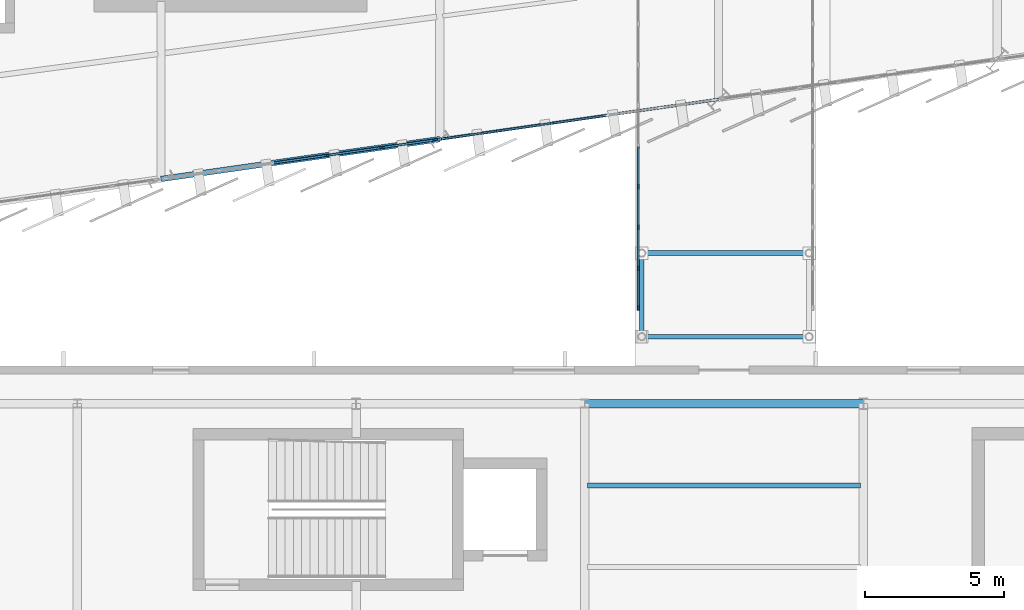
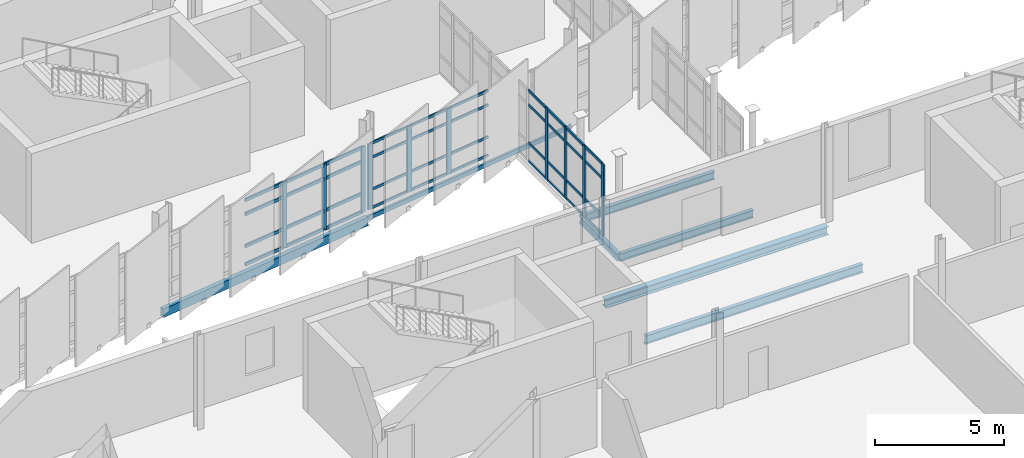
# One storey, part 38 of 134: 50 members, 7 beams, 3 elements without a shape of their own.
"""IFC4 building model written with IfcOpenShell, lengths in metres."""

from ifc_helpers import new_model, si_unit, direction, frame, origin, origin_2d, place, context, subcontext, project, spatial, rectangle, hollow_rectangle, i_section, extrude, material, layer, layer_set, material_profile, profile_set, type_object, element, aggregate, save


model = new_model("IFC4")

# Units and contexts
model_context = context("Model", 3, precision=1e-05, world=origin(), true_north=direction((0.0, 1.0)))
body_context = subcontext(model_context, "Body", "Model", "MODEL_VIEW")
ifc_project = project(units=[si_unit("LENGTHUNIT", "METRE"), si_unit("AREAUNIT", "SQUARE_METRE"), si_unit("VOLUMEUNIT", "CUBIC_METRE"), si_unit("PLANEANGLEUNIT", "RADIAN"), si_unit("MASSUNIT", "GRAM", prefix="KILO")], contexts=[model_context])

# Site, building, storey
site_placement = place(None, origin())
site = spatial("IfcSite", under=ifc_project, at=site_placement, CompositionType="ELEMENT")
building_placement = place(site_placement, origin())
building = spatial("IfcBuilding", under=site, at=building_placement, Name="Sohan Crest Arena", CompositionType="ELEMENT")
storey_placement = place(building_placement, frame((0.0, 0.0, 4.5)))
storey = spatial("IfcBuildingStorey", under=building, at=storey_placement, Name="L01", CompositionType="ELEMENT", Elevation=4.5)

# Curtain wall, members
ifc_material_1 = material(Name="Thermally broken anodised aluminium", Category="aluminium")
ifc_layer_1 = layer(ifc_material_1, 0.18994140625, Name="Thermally broken anodised aluminium")
ifc_layer_set_1 = layer_set([ifc_layer_1], Name="Thermally broken anodised aluminium")
curtain_wall_type_1 = type_object("IfcCurtainWallType", Name="ARC-CW05", PredefinedType="NOTDEFINED", material=ifc_layer_set_1)
curtain_wall_1_placement = place(storey_placement, origin())
curtain_wall_1 = element("IfcCurtainWall", 1, at=curtain_wall_1_placement, inside=storey, type_object=curtain_wall_type_1, Name="Unitised curtain wall CW-255", PredefinedType="NOTDEFINED")
ifc_material_profile_1 = material_profile(ifc_material_1, rectangle(XDim=0.06494140625, YDim=0.179931640625, at=origin_2d()), Name="ALU-MULL 65x180")
ifc_profile_set_1 = profile_set([ifc_material_profile_1], Name="Thermally broken anodised aluminium")
member_type_1 = type_object("IfcMemberType", Name="ARC-CW-ML02", PredefinedType="MULLION", material=ifc_profile_set_1)
member_1_placement = place(storey_placement, frame((135.1201171875, 28.232421875, 0.0), z_axis=(0.0, 0.0, 1.0), x_axis=(-1.0, 0.0, 0.0)))
member_1 = element("IfcMember", 2, at=member_1_placement, type_object=member_type_1, Name="CW-255 mullion 1", PredefinedType="MULLION", context=body_context, shape_type="SweptSolid", body=[
    extrude(rectangle(XDim=0.06494140625, YDim=0.179931640625, at=origin_2d()), origin(), (0.0, 0.0, 1.0), 3.39990234375),
])
member_2_placement = place(storey_placement, frame((135.1201171875, 29.659912109375, 0.0), z_axis=(0.0, 0.0, 1.0), x_axis=(-1.0, 0.0, 0.0)))
member_2 = element("IfcMember", 3, at=member_2_placement, type_object=member_type_1, Name="CW-255 mullion 2", PredefinedType="MULLION", context=body_context, shape_type="SweptSolid", body=[
    extrude(rectangle(XDim=0.06494140625, YDim=0.179931640625, at=origin_2d()), origin(), (0.0, 0.0, 1.0), 3.39990234375),
])
member_3_placement = place(storey_placement, frame((135.1201171875, 31.1201171875, 0.0), z_axis=(0.0, 0.0, 1.0), x_axis=(-1.0, 0.0, 0.0)))
member_3 = element("IfcMember", 4, at=member_3_placement, type_object=member_type_1, Name="CW-255 mullion 3", PredefinedType="MULLION", context=body_context, shape_type="SweptSolid", body=[
    extrude(rectangle(XDim=0.06494140625, YDim=0.179931640625, at=origin_2d()), origin(), (0.0, 0.0, 1.0), 3.39990234375),
])
member_4_placement = place(storey_placement, frame((135.1201171875, 32.580078125, 0.0), z_axis=(0.0, 0.0, 1.0), x_axis=(-1.0, 0.0, 0.0)))
member_4 = element("IfcMember", 5, at=member_4_placement, type_object=member_type_1, Name="CW-255 mullion 4", PredefinedType="MULLION", context=body_context, shape_type="SweptSolid", body=[
    extrude(rectangle(XDim=0.06494140625, YDim=0.179931640625, at=origin_2d()), origin(), (0.0, 0.0, 1.0), 3.39990234375),
])

ifc_layer_2 = layer(ifc_material_1, 0.219970703125, Name="Thermally broken anodised aluminium")
ifc_layer_set_2 = layer_set([ifc_layer_2], Name="Thermally broken anodised aluminium")
curtain_wall_type_2 = type_object("IfcCurtainWallType", Name="ARC-CW03", PredefinedType="NOTDEFINED", material=ifc_layer_set_2)
curtain_wall_2_placement = place(storey_placement, origin())
curtain_wall_2 = element("IfcCurtainWall", 6, at=curtain_wall_2_placement, inside=storey, type_object=curtain_wall_type_2, Name="Unitised curtain wall CW-032", PredefinedType="NOTDEFINED")
ifc_material_profile_2 = material_profile(ifc_material_1, rectangle(XDim=0.070068359375, YDim=0.199951171875, at=origin_2d()), Name="ALU-MULL 70x200")
ifc_profile_set_2 = profile_set([ifc_material_profile_2], Name="Thermally broken anodised aluminium")
member_type_2 = type_object("IfcMemberType", Name="ARC-CW-ML03", PredefinedType="MULLION", material=ifc_profile_set_2)
member_5_placement = place(storey_placement, frame((123.97412109375, 33.710693359375, 0.0), z_axis=(0.0, 0.0, 1.0), x_axis=(-0.141549389674, 0.989931194722, 0.0)))
member_5 = element("IfcMember", 7, at=member_5_placement, type_object=member_type_2, Name="CW-032 mullion 4", PredefinedType="MULLION", context=body_context, shape_type="SweptSolid", body=[
    extrude(rectangle(XDim=0.070068359375, YDim=0.199951171875, at=origin_2d()), origin(), (0.0, 0.0, 1.0), 3.1201171875),
])
member_6_placement = place(storey_placement, frame((125.922607421875, 33.989501953125, 0.0), z_axis=(0.0, 0.0, 1.0), x_axis=(-0.141549389674, 0.989931194722, 0.0)))
member_6 = element("IfcMember", 8, at=member_6_placement, type_object=member_type_2, Name="CW-032 mullion 5", PredefinedType="MULLION", context=body_context, shape_type="SweptSolid", body=[
    extrude(rectangle(XDim=0.070068359375, YDim=0.199951171875, at=origin_2d()), origin(), (0.0, 0.0, 1.0), 3.1201171875),
])
member_7_placement = place(storey_placement, frame((127.83642578125, 34.262939453125, 0.0), z_axis=(0.0, 0.0, 1.0), x_axis=(-0.141549389674, 0.989931194722, 0.0)))
member_7 = element("IfcMember", 9, at=member_7_placement, type_object=member_type_2, Name="CW-032 mullion 6", PredefinedType="MULLION", context=body_context, shape_type="SweptSolid", body=[
    extrude(rectangle(XDim=0.070068359375, YDim=0.199951171875, at=origin_2d()), origin(), (0.0, 0.0, 1.0), 3.1201171875),
])

ifc_layer_3 = layer(ifc_material_1, 0.239990234375, Name="Thermally broken anodised aluminium")
ifc_layer_set_3 = layer_set([ifc_layer_3], Name="Thermally broken anodised aluminium")
curtain_wall_type_3 = type_object("IfcCurtainWallType", Name="ARC-CW04", PredefinedType="NOTDEFINED", material=ifc_layer_set_3)
curtain_wall_3_placement = place(storey_placement, origin())
curtain_wall_3 = element("IfcCurtainWall", 10, at=curtain_wall_3_placement, inside=storey, type_object=curtain_wall_type_3, Name="Unitised curtain wall CW-033", PredefinedType="NOTDEFINED")
ifc_material_profile_3 = material_profile(ifc_material_1, rectangle(XDim=0.074951171875, YDim=0.219970703125, at=origin_2d()), Name="ALU-MULL 75x220")
ifc_profile_set_3 = profile_set([ifc_material_profile_3], Name="Thermally broken anodised aluminium")
member_type_3 = type_object("IfcMemberType", Name="ARC-CW-ML04", PredefinedType="MULLION", material=ifc_profile_set_3)
member_8_placement = place(storey_placement, frame((128.166015625, 34.309326171875, 0.0), z_axis=(0.0, 0.0, 1.0), x_axis=(-0.141449808729, 0.989945428602, 0.0)))
member_8 = element("IfcMember", 11, at=member_8_placement, type_object=member_type_3, Name="CW-033 mullion 1", PredefinedType="MULLION", context=body_context, shape_type="SweptSolid", body=[
    extrude(rectangle(XDim=0.074951171875, YDim=0.219970703125, at=origin_2d()), origin(), (0.0, 0.0, 1.0), 3.1201171875),
])
member_9_placement = place(storey_placement, frame((130.077392578125, 34.58251953125, 0.0), z_axis=(0.0, 0.0, 1.0), x_axis=(-0.141449808729, 0.989945428602, 0.0)))
member_9 = element("IfcMember", 12, at=member_9_placement, type_object=member_type_3, Name="CW-033 mullion 2", PredefinedType="MULLION", context=body_context, shape_type="SweptSolid", body=[
    extrude(rectangle(XDim=0.074951171875, YDim=0.219970703125, at=origin_2d()), origin(), (0.0, 0.0, 1.0), 3.1201171875),
])
member_10_placement = place(storey_placement, frame((132.02587890625, 34.86083984375, 0.0), z_axis=(0.0, 0.0, 1.0), x_axis=(-0.141449808729, 0.989945428602, 0.0)))
member_10 = element("IfcMember", 13, at=member_10_placement, type_object=member_type_3, Name="CW-033 mullion 3", PredefinedType="MULLION", context=body_context, shape_type="SweptSolid", body=[
    extrude(rectangle(XDim=0.074951171875, YDim=0.219970703125, at=origin_2d()), origin(), (0.0, 0.0, 1.0), 3.1201171875),
])
ifc_material_profile_4 = material_profile(ifc_material_1, rectangle(XDim=0.06005859375, YDim=0.1201171875, at=origin_2d()), Name="ALU-TRAN 60x120")
ifc_profile_set_4 = profile_set([ifc_material_profile_4], Name="Thermally broken anodised aluminium")
member_type_4 = type_object("IfcMemberType", Name="ARC-CW-TR01", PredefinedType="USERDEFINED", material=ifc_profile_set_4)
member_11_placement = place(storey_placement, frame((128.203125, 34.314697265625, 0.030029296875), z_axis=(0.989949493661, 0.141421356237, 0.0), x_axis=(-0.141421356237, 0.989949493661, 0.0)))
member_11 = element("IfcMember", 14, at=member_11_placement, type_object=member_type_4, Name="CW-033 transom 1.1", ObjectType="TRANSOM", PredefinedType="USERDEFINED", context=body_context, shape_type="SweptSolid", body=[
    extrude(rectangle(XDim=0.06005859375, YDim=0.1201171875, at=origin_2d()), origin(), (0.0, 0.0, 1.0), 1.855712890625),
])
member_12_placement = place(storey_placement, frame((128.203125, 34.314697265625, 0.89990234375), z_axis=(0.989949493661, 0.141421356237, 0.0), x_axis=(-0.141421356237, 0.989949493661, 0.0)))
member_12 = element("IfcMember", 15, at=member_12_placement, type_object=member_type_4, Name="CW-033 transom 1.2", ObjectType="TRANSOM", PredefinedType="USERDEFINED", context=body_context, shape_type="SweptSolid", body=[
    extrude(rectangle(XDim=0.06005859375, YDim=0.1201171875, at=origin_2d()), origin(), (0.0, 0.0, 1.0), 1.855712890625),
])
member_13_placement = place(storey_placement, frame((128.203125, 34.314697265625, 2.419921875), z_axis=(0.989949493661, 0.141421356237, 0.0), x_axis=(-0.141421356237, 0.989949493661, 0.0)))
member_13 = element("IfcMember", 16, at=member_13_placement, type_object=member_type_4, Name="CW-033 transom 1.3", ObjectType="TRANSOM", PredefinedType="USERDEFINED", context=body_context, shape_type="SweptSolid", body=[
    extrude(rectangle(XDim=0.06005859375, YDim=0.1201171875, at=origin_2d()), origin(), (0.0, 0.0, 1.0), 1.855712890625),
])
member_14_placement = place(storey_placement, frame((128.203125, 34.314697265625, 3.090087890625), z_axis=(0.989949493661, 0.141421356237, 0.0), x_axis=(-0.141421356237, 0.989949493661, 0.0)))
member_14 = element("IfcMember", 17, at=member_14_placement, type_object=member_type_4, Name="CW-033 transom 1.4", ObjectType="TRANSOM", PredefinedType="USERDEFINED", context=body_context, shape_type="SweptSolid", body=[
    extrude(rectangle(XDim=0.06005859375, YDim=0.1201171875, at=origin_2d()), origin(), (0.0, 0.0, 1.0), 1.855712890625),
])
member_15_placement = place(storey_placement, frame((130.114501953125, 34.587646484375, 0.030029296875), z_axis=(0.989944335028, 0.141457461968, 0.0), x_axis=(-0.141457461968, 0.989944335028, 0.0)))
member_15 = element("IfcMember", 18, at=member_15_placement, type_object=member_type_4, Name="CW-033 transom 2.1", ObjectType="TRANSOM", PredefinedType="USERDEFINED", context=body_context, shape_type="SweptSolid", body=[
    extrude(rectangle(XDim=0.06005859375, YDim=0.1201171875, at=origin_2d()), origin(), (0.0, 0.0, 1.0), 1.893310546875),
])
member_16_placement = place(storey_placement, frame((130.114501953125, 34.587646484375, 0.89990234375), z_axis=(0.989944335028, 0.141457461968, 0.0), x_axis=(-0.141457461968, 0.989944335028, 0.0)))
member_16 = element("IfcMember", 19, at=member_16_placement, type_object=member_type_4, Name="CW-033 transom 2.2", ObjectType="TRANSOM", PredefinedType="USERDEFINED", context=body_context, shape_type="SweptSolid", body=[
    extrude(rectangle(XDim=0.06005859375, YDim=0.1201171875, at=origin_2d()), origin(), (0.0, 0.0, 1.0), 1.893310546875),
])
member_17_placement = place(storey_placement, frame((130.114501953125, 34.587646484375, 2.419921875), z_axis=(0.989944335028, 0.141457461968, 0.0), x_axis=(-0.141457461968, 0.989944335028, 0.0)))
member_17 = element("IfcMember", 20, at=member_17_placement, type_object=member_type_4, Name="CW-033 transom 2.3", ObjectType="TRANSOM", PredefinedType="USERDEFINED", context=body_context, shape_type="SweptSolid", body=[
    extrude(rectangle(XDim=0.06005859375, YDim=0.1201171875, at=origin_2d()), origin(), (0.0, 0.0, 1.0), 1.893310546875),
])
member_18_placement = place(storey_placement, frame((130.114501953125, 34.587646484375, 3.090087890625), z_axis=(0.989944335028, 0.141457461968, 0.0), x_axis=(-0.141457461968, 0.989944335028, 0.0)))
member_18 = element("IfcMember", 21, at=member_18_placement, type_object=member_type_4, Name="CW-033 transom 2.4", ObjectType="TRANSOM", PredefinedType="USERDEFINED", context=body_context, shape_type="SweptSolid", body=[
    extrude(rectangle(XDim=0.06005859375, YDim=0.1201171875, at=origin_2d()), origin(), (0.0, 0.0, 1.0), 1.893310546875),
])
member_19_placement = place(storey_placement, frame((132.06298828125, 34.8662109375, 0.030029296875), z_axis=(0.989959808482, 0.141349133676, 0.0), x_axis=(-0.141349133676, 0.989959808482, 0.0)))
member_19 = element("IfcMember", 22, at=member_19_placement, type_object=member_type_4, Name="CW-033 transom 3.1", ObjectType="TRANSOM", PredefinedType="USERDEFINED", context=body_context, shape_type="SweptSolid", body=[
    extrude(rectangle(XDim=0.06005859375, YDim=0.1201171875, at=origin_2d()), origin(), (0.0, 0.0, 1.0), 1.89306640625),
])
member_20_placement = place(storey_placement, frame((132.06298828125, 34.8662109375, 0.89990234375), z_axis=(0.989959808482, 0.141349133676, 0.0), x_axis=(-0.141349133676, 0.989959808482, 0.0)))
member_20 = element("IfcMember", 23, at=member_20_placement, type_object=member_type_4, Name="CW-033 transom 3.2", ObjectType="TRANSOM", PredefinedType="USERDEFINED", context=body_context, shape_type="SweptSolid", body=[
    extrude(rectangle(XDim=0.06005859375, YDim=0.1201171875, at=origin_2d()), origin(), (0.0, 0.0, 1.0), 1.89306640625),
])
member_21_placement = place(storey_placement, frame((132.06298828125, 34.8662109375, 2.419921875), z_axis=(0.989959808482, 0.141349133676, 0.0), x_axis=(-0.141349133676, 0.989959808482, 0.0)))
member_21 = element("IfcMember", 24, at=member_21_placement, type_object=member_type_4, Name="CW-033 transom 3.3", ObjectType="TRANSOM", PredefinedType="USERDEFINED", context=body_context, shape_type="SweptSolid", body=[
    extrude(rectangle(XDim=0.06005859375, YDim=0.1201171875, at=origin_2d()), origin(), (0.0, 0.0, 1.0), 1.89306640625),
])
member_22_placement = place(storey_placement, frame((132.06298828125, 34.8662109375, 3.090087890625), z_axis=(0.989959808482, 0.141349133676, 0.0), x_axis=(-0.141349133676, 0.989959808482, 0.0)))
member_22 = element("IfcMember", 25, at=member_22_placement, type_object=member_type_4, Name="CW-033 transom 3.4", ObjectType="TRANSOM", PredefinedType="USERDEFINED", context=body_context, shape_type="SweptSolid", body=[
    extrude(rectangle(XDim=0.06005859375, YDim=0.1201171875, at=origin_2d()), origin(), (0.0, 0.0, 1.0), 1.89306640625),
])
aggregate(curtain_wall_3, [member_8, member_9, member_10, member_11, member_12, member_13, member_14, member_15, member_16, member_17, member_18, member_19, member_20, member_21, member_22])

# Member
member_23_placement = place(storey_placement, frame((135.1201171875, 28.264892578125, 0.030029296875), z_axis=(0.0, 1.0, 0.0), x_axis=(-1.0, 0.0, 0.0)))
member_23 = element("IfcMember", 26, at=member_23_placement, type_object=member_type_4, Name="CW-255 transom 1.1", ObjectType="TRANSOM", PredefinedType="USERDEFINED", context=body_context, shape_type="SweptSolid", body=[
    extrude(rectangle(XDim=0.06005859375, YDim=0.1201171875, at=origin_2d()), origin(), (0.0, 0.0, 1.0), 1.362548828125),
])

member_24_placement = place(storey_placement, frame((135.1201171875, 28.264892578125, 0.89990234375), z_axis=(0.0, 1.0, 0.0), x_axis=(-1.0, 0.0, 0.0)))
member_24 = element("IfcMember", 27, at=member_24_placement, type_object=member_type_4, Name="CW-255 transom 1.2", ObjectType="TRANSOM", PredefinedType="USERDEFINED", context=body_context, shape_type="SweptSolid", body=[
    extrude(rectangle(XDim=0.06005859375, YDim=0.1201171875, at=origin_2d()), origin(), (0.0, 0.0, 1.0), 1.362548828125),
])

member_25_placement = place(storey_placement, frame((135.1201171875, 28.264892578125, 2.699951171875), z_axis=(0.0, 1.0, 0.0), x_axis=(-1.0, 0.0, 0.0)))
member_25 = element("IfcMember", 28, at=member_25_placement, type_object=member_type_4, Name="CW-255 transom 1.3", ObjectType="TRANSOM", PredefinedType="USERDEFINED", context=body_context, shape_type="SweptSolid", body=[
    extrude(rectangle(XDim=0.06005859375, YDim=0.1201171875, at=origin_2d()), origin(), (0.0, 0.0, 1.0), 1.362548828125),
])

member_26_placement = place(storey_placement, frame((135.1201171875, 28.264892578125, 3.3701171875), z_axis=(0.0, 1.0, 0.0), x_axis=(-1.0, 0.0, 0.0)))
member_26 = element("IfcMember", 29, at=member_26_placement, type_object=member_type_4, Name="CW-255 transom 1.4", ObjectType="TRANSOM", PredefinedType="USERDEFINED", context=body_context, shape_type="SweptSolid", body=[
    extrude(rectangle(XDim=0.06005859375, YDim=0.1201171875, at=origin_2d()), origin(), (0.0, 0.0, 1.0), 1.362548828125),
])

member_27_placement = place(storey_placement, frame((135.1201171875, 29.6923828125, 0.030029296875), z_axis=(0.0, 1.0, 0.0), x_axis=(-1.0, 0.0, 0.0)))
member_27 = element("IfcMember", 30, at=member_27_placement, type_object=member_type_4, Name="CW-255 transom 2.1", ObjectType="TRANSOM", PredefinedType="USERDEFINED", context=body_context, shape_type="SweptSolid", body=[
    extrude(rectangle(XDim=0.06005859375, YDim=0.1201171875, at=origin_2d()), origin(), (0.0, 0.0, 1.0), 1.39501953125),
])

member_28_placement = place(storey_placement, frame((135.1201171875, 29.6923828125, 0.89990234375), z_axis=(0.0, 1.0, 0.0), x_axis=(-1.0, 0.0, 0.0)))
member_28 = element("IfcMember", 31, at=member_28_placement, type_object=member_type_4, Name="CW-255 transom 2.2", ObjectType="TRANSOM", PredefinedType="USERDEFINED", context=body_context, shape_type="SweptSolid", body=[
    extrude(rectangle(XDim=0.06005859375, YDim=0.1201171875, at=origin_2d()), origin(), (0.0, 0.0, 1.0), 1.39501953125),
])

member_29_placement = place(storey_placement, frame((135.1201171875, 29.6923828125, 2.699951171875), z_axis=(0.0, 1.0, 0.0), x_axis=(-1.0, 0.0, 0.0)))
member_29 = element("IfcMember", 32, at=member_29_placement, type_object=member_type_4, Name="CW-255 transom 2.3", ObjectType="TRANSOM", PredefinedType="USERDEFINED", context=body_context, shape_type="SweptSolid", body=[
    extrude(rectangle(XDim=0.06005859375, YDim=0.1201171875, at=origin_2d()), origin(), (0.0, 0.0, 1.0), 1.39501953125),
])

member_30_placement = place(storey_placement, frame((135.1201171875, 29.6923828125, 3.3701171875), z_axis=(0.0, 1.0, 0.0), x_axis=(-1.0, 0.0, 0.0)))
member_30 = element("IfcMember", 33, at=member_30_placement, type_object=member_type_4, Name="CW-255 transom 2.4", ObjectType="TRANSOM", PredefinedType="USERDEFINED", context=body_context, shape_type="SweptSolid", body=[
    extrude(rectangle(XDim=0.06005859375, YDim=0.1201171875, at=origin_2d()), origin(), (0.0, 0.0, 1.0), 1.39501953125),
])

member_31_placement = place(storey_placement, frame((135.1201171875, 31.152587890625, 0.030029296875), z_axis=(0.0, 1.0, 0.0), x_axis=(-1.0, 0.0, 0.0)))
member_31 = element("IfcMember", 34, at=member_31_placement, type_object=member_type_4, Name="CW-255 transom 3.1", ObjectType="TRANSOM", PredefinedType="USERDEFINED", context=body_context, shape_type="SweptSolid", body=[
    extrude(rectangle(XDim=0.06005859375, YDim=0.1201171875, at=origin_2d()), origin(), (0.0, 0.0, 1.0), 1.39501953125),
])

member_32_placement = place(storey_placement, frame((135.1201171875, 31.152587890625, 0.89990234375), z_axis=(0.0, 1.0, 0.0), x_axis=(-1.0, 0.0, 0.0)))
member_32 = element("IfcMember", 35, at=member_32_placement, type_object=member_type_4, Name="CW-255 transom 3.2", ObjectType="TRANSOM", PredefinedType="USERDEFINED", context=body_context, shape_type="SweptSolid", body=[
    extrude(rectangle(XDim=0.06005859375, YDim=0.1201171875, at=origin_2d()), origin(), (0.0, 0.0, 1.0), 1.39501953125),
])

member_33_placement = place(storey_placement, frame((135.1201171875, 31.152587890625, 2.699951171875), z_axis=(0.0, 1.0, 0.0), x_axis=(-1.0, 0.0, 0.0)))
member_33 = element("IfcMember", 36, at=member_33_placement, type_object=member_type_4, Name="CW-255 transom 3.3", ObjectType="TRANSOM", PredefinedType="USERDEFINED", context=body_context, shape_type="SweptSolid", body=[
    extrude(rectangle(XDim=0.06005859375, YDim=0.1201171875, at=origin_2d()), origin(), (0.0, 0.0, 1.0), 1.39501953125),
])

member_34_placement = place(storey_placement, frame((135.1201171875, 31.152587890625, 3.3701171875), z_axis=(0.0, 1.0, 0.0), x_axis=(-1.0, 0.0, 0.0)))
member_34 = element("IfcMember", 37, at=member_34_placement, type_object=member_type_4, Name="CW-255 transom 3.4", ObjectType="TRANSOM", PredefinedType="USERDEFINED", context=body_context, shape_type="SweptSolid", body=[
    extrude(rectangle(XDim=0.06005859375, YDim=0.1201171875, at=origin_2d()), origin(), (0.0, 0.0, 1.0), 1.39501953125),
])

member_35_placement = place(storey_placement, frame((135.1201171875, 32.612548828125, 0.030029296875), z_axis=(0.0, 1.0, 0.0), x_axis=(-1.0, 0.0, 0.0)))
member_35 = element("IfcMember", 38, at=member_35_placement, type_object=member_type_4, Name="CW-255 transom 4.1", ObjectType="TRANSOM", PredefinedType="USERDEFINED", context=body_context, shape_type="SweptSolid", body=[
    extrude(rectangle(XDim=0.06005859375, YDim=0.1201171875, at=origin_2d()), origin(), (0.0, 0.0, 1.0), 1.39501953125),
])

member_36_placement = place(storey_placement, frame((135.1201171875, 32.612548828125, 0.89990234375), z_axis=(0.0, 1.0, 0.0), x_axis=(-1.0, 0.0, 0.0)))
member_36 = element("IfcMember", 39, at=member_36_placement, type_object=member_type_4, Name="CW-255 transom 4.2", ObjectType="TRANSOM", PredefinedType="USERDEFINED", context=body_context, shape_type="SweptSolid", body=[
    extrude(rectangle(XDim=0.06005859375, YDim=0.1201171875, at=origin_2d()), origin(), (0.0, 0.0, 1.0), 1.39501953125),
])

member_37_placement = place(storey_placement, frame((135.1201171875, 32.612548828125, 2.699951171875), z_axis=(0.0, 1.0, 0.0), x_axis=(-1.0, 0.0, 0.0)))
member_37 = element("IfcMember", 40, at=member_37_placement, type_object=member_type_4, Name="CW-255 transom 4.3", ObjectType="TRANSOM", PredefinedType="USERDEFINED", context=body_context, shape_type="SweptSolid", body=[
    extrude(rectangle(XDim=0.06005859375, YDim=0.1201171875, at=origin_2d()), origin(), (0.0, 0.0, 1.0), 1.39501953125),
])

member_38_placement = place(storey_placement, frame((135.1201171875, 32.612548828125, 3.3701171875), z_axis=(0.0, 1.0, 0.0), x_axis=(-1.0, 0.0, 0.0)))
member_38 = element("IfcMember", 41, at=member_38_placement, type_object=member_type_4, Name="CW-255 transom 4.4", ObjectType="TRANSOM", PredefinedType="USERDEFINED", context=body_context, shape_type="SweptSolid", body=[
    extrude(rectangle(XDim=0.06005859375, YDim=0.1201171875, at=origin_2d()), origin(), (0.0, 0.0, 1.0), 1.39501953125),
])

aggregate(curtain_wall_1, [member_1, member_2, member_3, member_4, member_23, member_24, member_25, member_26, member_27, member_28, member_29, member_30, member_31, member_32, member_33, member_34, member_35, member_36, member_37, member_38])

ifc_material_profile_5 = material_profile(ifc_material_1, rectangle(XDim=0.070068359375, YDim=0.14990234375, at=origin_2d()), Name="ALU-TRAN 70x150")
ifc_profile_set_5 = profile_set([ifc_material_profile_5], Name="Thermally broken anodised aluminium")
member_type_5 = type_object("IfcMemberType", Name="ARC-CW-TR03", PredefinedType="USERDEFINED", material=ifc_profile_set_5)
member_39_placement = place(storey_placement, frame((122.060546875, 33.437255859375, 0.034912109375), z_axis=(0.989939200612, 0.141493388861, 0.0), x_axis=(-0.141493388861, 0.989939200612, 0.0)))
member_39 = element("IfcMember", 42, at=member_39_placement, type_object=member_type_5, Name="CW-032 transom 3.1", ObjectType="TRANSOM", PredefinedType="USERDEFINED", context=body_context, shape_type="SweptSolid", body=[
    extrude(rectangle(XDim=0.070068359375, YDim=0.14990234375, at=origin_2d()), origin(), (0.0, 0.0, 1.0), 1.89794921875),
])

member_40_placement = place(storey_placement, frame((122.060546875, 33.437255859375, 0.89990234375), z_axis=(0.989939200612, 0.141493388861, 0.0), x_axis=(-0.141493388861, 0.989939200612, 0.0)))
member_40 = element("IfcMember", 43, at=member_40_placement, type_object=member_type_5, Name="CW-032 transom 3.2", ObjectType="TRANSOM", PredefinedType="USERDEFINED", context=body_context, shape_type="SweptSolid", body=[
    extrude(rectangle(XDim=0.070068359375, YDim=0.14990234375, at=origin_2d()), origin(), (0.0, 0.0, 1.0), 1.89794921875),
])

member_41_placement = place(storey_placement, frame((122.060546875, 33.437255859375, 2.419921875), z_axis=(0.989939200612, 0.141493388861, 0.0), x_axis=(-0.141493388861, 0.989939200612, 0.0)))
member_41 = element("IfcMember", 44, at=member_41_placement, type_object=member_type_5, Name="CW-032 transom 3.3", ObjectType="TRANSOM", PredefinedType="USERDEFINED", context=body_context, shape_type="SweptSolid", body=[
    extrude(rectangle(XDim=0.070068359375, YDim=0.14990234375, at=origin_2d()), origin(), (0.0, 0.0, 1.0), 1.89794921875),
])

member_42_placement = place(storey_placement, frame((122.060546875, 33.437255859375, 3.0849609375), z_axis=(0.989939200612, 0.141493388861, 0.0), x_axis=(-0.141493388861, 0.989939200612, 0.0)))
member_42 = element("IfcMember", 45, at=member_42_placement, type_object=member_type_5, Name="CW-032 transom 3.4", ObjectType="TRANSOM", PredefinedType="USERDEFINED", context=body_context, shape_type="SweptSolid", body=[
    extrude(rectangle(XDim=0.070068359375, YDim=0.14990234375, at=origin_2d()), origin(), (0.0, 0.0, 1.0), 1.89794921875),
])

member_43_placement = place(storey_placement, frame((124.0087890625, 33.7158203125, 0.034912109375), z_axis=(0.989941775349, 0.141475373897, 0.0), x_axis=(-0.141475373897, 0.989941775349, 0.0)))
member_43 = element("IfcMember", 46, at=member_43_placement, type_object=member_type_5, Name="CW-032 transom 4.1", ObjectType="TRANSOM", PredefinedType="USERDEFINED", context=body_context, shape_type="SweptSolid", body=[
    extrude(rectangle(XDim=0.070068359375, YDim=0.14990234375, at=origin_2d()), origin(), (0.0, 0.0, 1.0), 1.898193359375),
])

member_44_placement = place(storey_placement, frame((124.0087890625, 33.7158203125, 0.89990234375), z_axis=(0.989941775349, 0.141475373897, 0.0), x_axis=(-0.141475373897, 0.989941775349, 0.0)))
member_44 = element("IfcMember", 47, at=member_44_placement, type_object=member_type_5, Name="CW-032 transom 4.2", ObjectType="TRANSOM", PredefinedType="USERDEFINED", context=body_context, shape_type="SweptSolid", body=[
    extrude(rectangle(XDim=0.070068359375, YDim=0.14990234375, at=origin_2d()), origin(), (0.0, 0.0, 1.0), 1.898193359375),
])

member_45_placement = place(storey_placement, frame((124.0087890625, 33.7158203125, 2.419921875), z_axis=(0.989941775349, 0.141475373897, 0.0), x_axis=(-0.141475373897, 0.989941775349, 0.0)))
member_45 = element("IfcMember", 48, at=member_45_placement, type_object=member_type_5, Name="CW-032 transom 4.3", ObjectType="TRANSOM", PredefinedType="USERDEFINED", context=body_context, shape_type="SweptSolid", body=[
    extrude(rectangle(XDim=0.070068359375, YDim=0.14990234375, at=origin_2d()), origin(), (0.0, 0.0, 1.0), 1.898193359375),
])

member_46_placement = place(storey_placement, frame((124.0087890625, 33.7158203125, 3.0849609375), z_axis=(0.989941775349, 0.141475373897, 0.0), x_axis=(-0.141475373897, 0.989941775349, 0.0)))
member_46 = element("IfcMember", 49, at=member_46_placement, type_object=member_type_5, Name="CW-032 transom 4.4", ObjectType="TRANSOM", PredefinedType="USERDEFINED", context=body_context, shape_type="SweptSolid", body=[
    extrude(rectangle(XDim=0.070068359375, YDim=0.14990234375, at=origin_2d()), origin(), (0.0, 0.0, 1.0), 1.898193359375),
])

member_47_placement = place(storey_placement, frame((125.957275390625, 33.994384765625, 0.034912109375), z_axis=(0.989936386349, 0.141513077069, 0.0), x_axis=(-0.141513077069, 0.989936386349, 0.0)))
member_47 = element("IfcMember", 50, at=member_47_placement, type_object=member_type_5, Name="CW-032 transom 5.1", ObjectType="TRANSOM", PredefinedType="USERDEFINED", context=body_context, shape_type="SweptSolid", body=[
    extrude(rectangle(XDim=0.070068359375, YDim=0.14990234375, at=origin_2d()), origin(), (0.0, 0.0, 1.0), 1.86328125),
])

member_48_placement = place(storey_placement, frame((125.957275390625, 33.994384765625, 0.89990234375), z_axis=(0.989936386349, 0.141513077069, 0.0), x_axis=(-0.141513077069, 0.989936386349, 0.0)))
member_48 = element("IfcMember", 51, at=member_48_placement, type_object=member_type_5, Name="CW-032 transom 5.2", ObjectType="TRANSOM", PredefinedType="USERDEFINED", context=body_context, shape_type="SweptSolid", body=[
    extrude(rectangle(XDim=0.070068359375, YDim=0.14990234375, at=origin_2d()), origin(), (0.0, 0.0, 1.0), 1.86328125),
])

member_49_placement = place(storey_placement, frame((125.957275390625, 33.994384765625, 2.419921875), z_axis=(0.989936386349, 0.141513077069, 0.0), x_axis=(-0.141513077069, 0.989936386349, 0.0)))
member_49 = element("IfcMember", 52, at=member_49_placement, type_object=member_type_5, Name="CW-032 transom 5.3", ObjectType="TRANSOM", PredefinedType="USERDEFINED", context=body_context, shape_type="SweptSolid", body=[
    extrude(rectangle(XDim=0.070068359375, YDim=0.14990234375, at=origin_2d()), origin(), (0.0, 0.0, 1.0), 1.86328125),
])

member_50_placement = place(storey_placement, frame((125.957275390625, 33.994384765625, 3.0849609375), z_axis=(0.989936386349, 0.141513077069, 0.0), x_axis=(-0.141513077069, 0.989936386349, 0.0)))
member_50 = element("IfcMember", 53, at=member_50_placement, type_object=member_type_5, Name="CW-032 transom 5.4", ObjectType="TRANSOM", PredefinedType="USERDEFINED", context=body_context, shape_type="SweptSolid", body=[
    extrude(rectangle(XDim=0.070068359375, YDim=0.14990234375, at=origin_2d()), origin(), (0.0, 0.0, 1.0), 1.86328125),
])

aggregate(curtain_wall_2, [member_5, member_6, member_7, member_39, member_40, member_41, member_42, member_43, member_44, member_45, member_46, member_47, member_48, member_49, member_50])

# Beams
ifc_material_2 = material(Name="Steel S355", Category="steel")
ifc_material_profile_6 = material_profile(ifc_material_2, i_section(OverallWidth=0.169921875, OverallDepth=0.360107421875, WebThickness=0.008056640625, FlangeThickness=0.0126953125, at=origin_2d()), Name="IPE 360")
ifc_profile_set_6 = profile_set([ifc_material_profile_6], Name="Steel S355")
beam_type_1 = type_object("IfcBeamType", Name="STR-BM-B02", PredefinedType="JOIST", material=ifc_profile_set_6)
beam_1_placement = place(storey_placement, frame((135.25, 27.199951171875, -0.455078125), z_axis=(0.0, 1.0, 0.0), x_axis=(-1.0, 0.0, 0.0)))
element("IfcBeam", 54, at=beam_1_placement, inside=storey, type_object=beam_type_1, Name="Structural beam BG-L01-3004", PredefinedType="JOIST", context=body_context, shape_type="SweptSolid", body=[
    extrude(i_section(OverallWidth=0.169921875, OverallDepth=0.360107421875, WebThickness=0.008056640625, FlangeThickness=0.0126953125, at=origin_2d()), origin(), (0.0, 0.0, 1.0), 3.0),
])
for number, where, z_axis, x_axis, name in (
    (55, (135.25, 27.199951171875, -0.455078125), (1.0, 0.0, 0.0), (0.0, 1.0, 0.0), "Structural beam BG-L01-3006"),
    (56, (135.25, 30.199951171875, -0.455078125), (1.0, 0.0, 0.0), (0.0, 1.0, 0.0), "Structural beam BG-L01-3007"),
):
    element("IfcBeam", number, at=place(storey_placement, frame(where, z_axis=z_axis, x_axis=x_axis)), inside=storey, type_object=beam_type_1, Name=name, PredefinedType="JOIST", context=body_context, shape_type="SweptSolid", body=[
        extrude(i_section(OverallWidth=0.169921875, OverallDepth=0.360107421875, WebThickness=0.008056640625, FlangeThickness=0.0126953125, at=origin_2d()), origin(), (0.0, 0.0, 1.0), 6.0),
    ])
ifc_material_profile_7 = material_profile(ifc_material_2, i_section(OverallWidth=0.179931640625, OverallDepth=0.39990234375, WebThickness=0.008544921875, FlangeThickness=0.013427734375, at=origin_2d()), Name="IPE 400")
ifc_profile_set_7 = profile_set([ifc_material_profile_7], Name="Steel S355")
beam_type_2 = type_object("IfcBeamType", Name="STR-BM-B03", PredefinedType="JOIST", material=ifc_profile_set_7)
beam_2_placement = place(storey_placement, frame((133.31005859375, 21.866943359375, -0.449951171875), z_axis=(1.0, 0.0, 0.0), x_axis=(0.0, 1.0, 0.0)))
element("IfcBeam", 57, at=beam_2_placement, inside=storey, type_object=beam_type_2, Name="Structural beam J-L01-2616", PredefinedType="JOIST", context=body_context, shape_type="SweptSolid", body=[
    extrude(i_section(OverallWidth=0.179931640625, OverallDepth=0.39990234375, WebThickness=0.008544921875, FlangeThickness=0.013427734375, at=origin_2d()), origin(), (0.0, 0.0, 1.0), 9.780029296875),
])
ifc_material_profile_8 = material_profile(ifc_material_2, i_section(OverallWidth=0.300048828125, OverallDepth=0.389892578125, WebThickness=0.010986328125, FlangeThickness=0.01904296875, at=origin_2d()), Name="HEA 400")
ifc_profile_set_8 = profile_set([ifc_material_profile_8], Name="Steel S355")
beam_type_3 = type_object("IfcBeamType", Name="STR-BM-B09", PredefinedType="BEAM", material=ifc_profile_set_8)
beam_3_placement = place(storey_placement, frame((133.199951171875, 24.800048828125, -0.445068359375), z_axis=(1.0, 0.0, 0.0), x_axis=(0.0, 1.0, 0.0)))
element("IfcBeam", 58, at=beam_3_placement, inside=storey, type_object=beam_type_3, Name="Structural beam G-L01-2625", PredefinedType="BEAM", context=body_context, shape_type="SweptSolid", body=[
    extrude(i_section(OverallWidth=0.300048828125, OverallDepth=0.389892578125, WebThickness=0.010986328125, FlangeThickness=0.01904296875, at=origin_2d()), origin(), (0.0, 0.0, 1.0), 10.0),
])
ifc_material_profile_9 = material_profile(ifc_material_2, hollow_rectangle(XDim=0.10009765625, YDim=0.199951171875, WallThickness=0.008056640625, at=origin_2d()), Name="RHS 200x100x8")
ifc_profile_set_9 = profile_set([ifc_material_profile_9], Name="Steel S355")
beam_type_4 = type_object("IfcBeamType", Name="STR-BM-SP01", PredefinedType="SPANDREL", material=ifc_profile_set_9)
beam_4_placement = place(storey_placement, frame((128.0, 34.285888671875, -0.375), z_axis=(0.989954326844, 0.141387519825, 0.0), x_axis=(-0.141387519825, 0.989954326844, 0.0)))
element("IfcBeam", 59, at=beam_4_placement, inside=storey, type_object=beam_type_4, Name="Structural beam SP-L01-1155", PredefinedType="SPANDREL", context=body_context, shape_type="SweptSolid", body=[
    extrude(hollow_rectangle(XDim=0.10009765625, YDim=0.199951171875, WallThickness=0.008056640625, at=origin_2d()), origin(), (0.0, 0.0, 1.0), 10.1015625),
])
ifc_material_profile_10 = material_profile(ifc_material_2, hollow_rectangle(XDim=0.199951171875, YDim=0.39990234375, WallThickness=0.012451171875, at=origin_2d()), Name="RHS 400x200x12.5")
ifc_profile_set_10 = profile_set([ifc_material_profile_10], Name="Steel S355")
beam_type_5 = type_object("IfcBeamType", Name="STR-BM-SP05", PredefinedType="SPANDREL", material=ifc_profile_set_10)
beam_5_placement = place(storey_placement, frame((118.0, 32.85693359375, -0.47509765625), z_axis=(0.989944175879, 0.141458575718, 0.0), x_axis=(-0.141458575718, 0.989944175879, 0.0)))
element("IfcBeam", 60, at=beam_5_placement, inside=storey, type_object=beam_type_5, Name="Structural beam SP-L01-1151", PredefinedType="SPANDREL", context=body_context, shape_type="SweptSolid", body=[
    extrude(hollow_rectangle(XDim=0.199951171875, YDim=0.39990234375, WallThickness=0.012451171875, at=origin_2d()), origin(), (0.0, 0.0, 1.0), 10.1015625),
])

save(model, "model.ifc")
